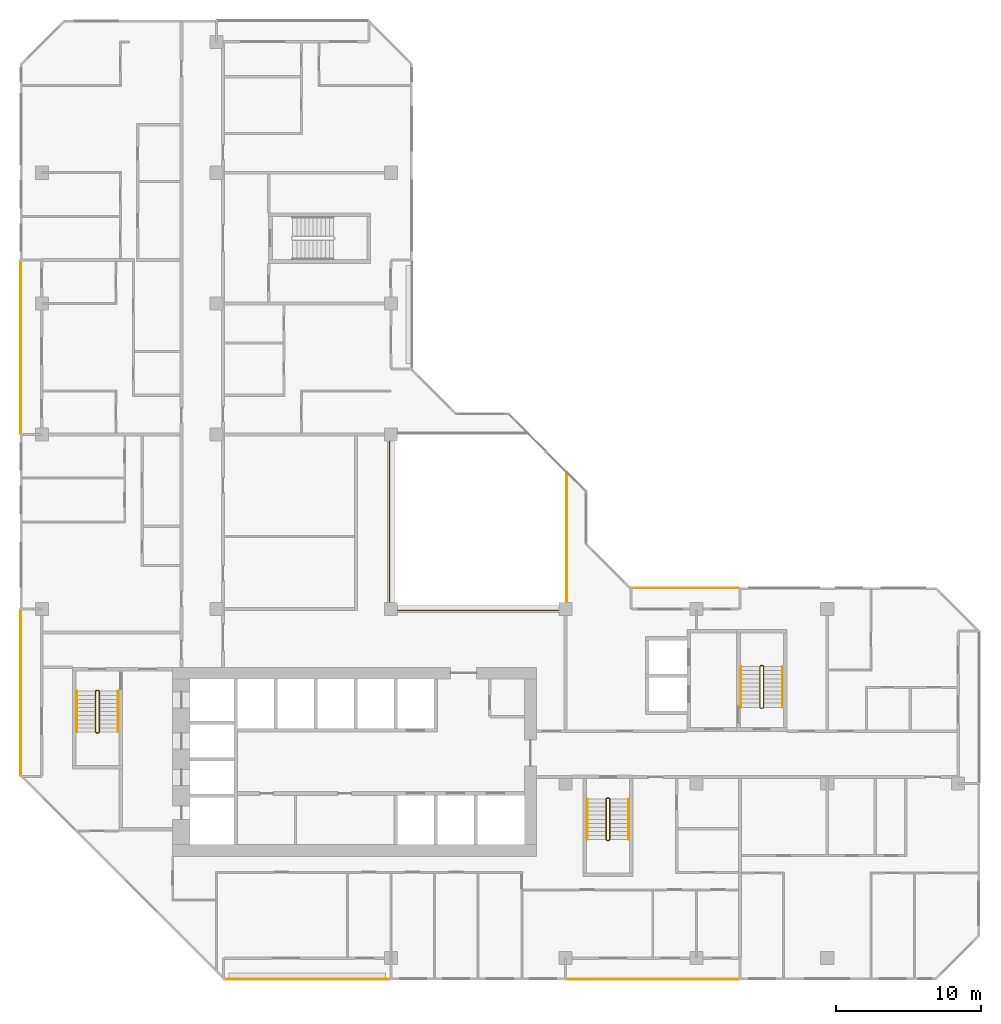
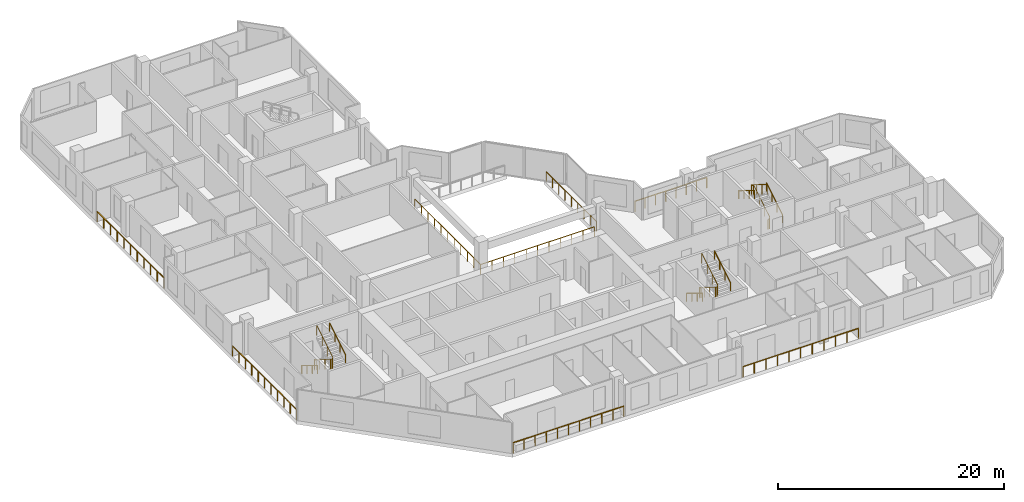
# One storey, part 13 of 14: 16 railings.
"""IFC4 building model written with IfcOpenShell, lengths in metres."""

from ifc_helpers import new_model, si_unit, direction, frame, origin, origin_2d, place, context, subcontext, project, spatial, rectangle, extrude, material, type_object, element, save


model = new_model("IFC4")

# Units and contexts
model_context = context("Model", 3, precision=1e-05, world=origin(), true_north=direction((0.0, 1.0)))
body_context = subcontext(model_context, "Body", "Model", "MODEL_VIEW")
ifc_project = project(units=[si_unit("LENGTHUNIT", "METRE"), si_unit("AREAUNIT", "SQUARE_METRE"), si_unit("VOLUMEUNIT", "CUBIC_METRE"), si_unit("PLANEANGLEUNIT", "RADIAN"), si_unit("MASSUNIT", "GRAM", prefix="KILO")], contexts=[model_context])

# Site, building, storey
site_placement = place(None, origin())
site = spatial("IfcSite", under=ifc_project, at=site_placement, CompositionType="ELEMENT")
building_placement = place(site_placement, origin())
building = spatial("IfcBuilding", under=site, at=building_placement, Name="Chenar Terraces", CompositionType="ELEMENT")
storey_placement = place(building_placement, frame((0.0, 0.0, 183.64990234375)))
storey = spatial("IfcBuildingStorey", under=building, at=storey_placement, Name="L42", CompositionType="ELEMENT", Elevation=183.64990234375)

# Railings
ifc_material_1 = material(Name="Powder-coated steel", Category="steel")
railing_type_1 = type_object("IfcRailingType", Name="Guard 1100 steel rail with glass infill", PredefinedType="GUARDRAIL", material=ifc_material_1)
railing_1_placement = place(storey_placement, frame((23.89990234375, 35.550048828125, 0.0)))
element("IfcRailing", 1, at=railing_1_placement, inside=storey, type_object=railing_type_1, Name="Guard L42-1", PredefinedType="GUARDRAIL", context=body_context, shape_type="SweptSolid", body=[
    extrude(rectangle(XDim=0.06005859375, YDim=0.06005859375, at=origin_2d()), frame((0.0, 0.0, 1.070068359375), z_axis=(0.0, -1.0, 0.0), x_axis=(1.0, 0.0, 0.0)), (0.0, 0.0, 1.0), 11.650146484375),
    extrude(rectangle(XDim=0.06005859375, YDim=0.06005859375, at=origin_2d()), frame((0.0, -11.650146484375, 1.070068359375), z_axis=(1.0, 0.0, 0.0), x_axis=(0.0, 1.0, 0.0)), (0.0, 0.0, 1.0), 11.650146484375),
    extrude(rectangle(XDim=0.050048828125, YDim=0.050048828125, at=origin_2d()), origin(), (0.0, 0.0, 1.0), 1.0400390625),
    extrude(rectangle(XDim=0.050048828125, YDim=0.050048828125, at=origin_2d()), frame((0.0, -1.1650390625, 0.0)), (0.0, 0.0, 1.0), 1.0400390625),
    extrude(rectangle(XDim=0.050048828125, YDim=0.050048828125, at=origin_2d()), frame((0.0, -2.330078125, 0.0)), (0.0, 0.0, 1.0), 1.0400390625),
    extrude(rectangle(XDim=0.050048828125, YDim=0.050048828125, at=origin_2d()), frame((0.0, -3.4951171875, 0.0)), (0.0, 0.0, 1.0), 1.0400390625),
    extrude(rectangle(XDim=0.050048828125, YDim=0.050048828125, at=origin_2d()), frame((0.0, -4.66015625, 0.0)), (0.0, 0.0, 1.0), 1.0400390625),
    extrude(rectangle(XDim=0.050048828125, YDim=0.050048828125, at=origin_2d()), frame((0.0, -5.8251953125, 0.0)), (0.0, 0.0, 1.0), 1.0400390625),
    extrude(rectangle(XDim=0.050048828125, YDim=0.050048828125, at=origin_2d()), frame((0.0, -6.989990234375, 0.0)), (0.0, 0.0, 1.0), 1.0400390625),
    extrude(rectangle(XDim=0.050048828125, YDim=0.050048828125, at=origin_2d()), frame((0.0, -8.155029296875, 0.0)), (0.0, 0.0, 1.0), 1.0400390625),
    extrude(rectangle(XDim=0.050048828125, YDim=0.050048828125, at=origin_2d()), frame((0.0, -9.320068359375, 0.0)), (0.0, 0.0, 1.0), 1.0400390625),
    extrude(rectangle(XDim=0.050048828125, YDim=0.050048828125, at=origin_2d()), frame((0.0, -10.485107421875, 0.0)), (0.0, 0.0, 1.0), 1.0400390625),
    extrude(rectangle(XDim=0.050048828125, YDim=0.050048828125, at=origin_2d()), frame((0.0, -11.650146484375, 0.0)), (0.0, 0.0, 1.0), 1.0400390625),
    extrude(rectangle(XDim=0.050048828125, YDim=0.050048828125, at=origin_2d()), frame((1.1650390625, -11.650146484375, 0.0)), (0.0, 0.0, 1.0), 1.0400390625),
    extrude(rectangle(XDim=0.050048828125, YDim=0.050048828125, at=origin_2d()), frame((2.330078125, -11.650146484375, 0.0)), (0.0, 0.0, 1.0), 1.0400390625),
    extrude(rectangle(XDim=0.050048828125, YDim=0.050048828125, at=origin_2d()), frame((3.4951171875, -11.650146484375, 0.0)), (0.0, 0.0, 1.0), 1.0400390625),
    extrude(rectangle(XDim=0.050048828125, YDim=0.050048828125, at=origin_2d()), frame((4.66015625, -11.650146484375, 0.0)), (0.0, 0.0, 1.0), 1.0400390625),
    extrude(rectangle(XDim=0.050048828125, YDim=0.050048828125, at=origin_2d()), frame((5.8251953125, -11.650146484375, 0.0)), (0.0, 0.0, 1.0), 1.0400390625),
    extrude(rectangle(XDim=0.050048828125, YDim=0.050048828125, at=origin_2d()), frame((6.989990234375, -11.650146484375, 0.0)), (0.0, 0.0, 1.0), 1.0400390625),
    extrude(rectangle(XDim=0.050048828125, YDim=0.050048828125, at=origin_2d()), frame((8.155029296875, -11.650146484375, 0.0)), (0.0, 0.0, 1.0), 1.0400390625),
    extrude(rectangle(XDim=0.050048828125, YDim=0.050048828125, at=origin_2d()), frame((9.320068359375, -11.650146484375, 0.0)), (0.0, 0.0, 1.0), 1.0400390625),
    extrude(rectangle(XDim=0.050048828125, YDim=0.050048828125, at=origin_2d()), frame((10.485107421875, -11.650146484375, 0.0)), (0.0, 0.0, 1.0), 1.0400390625),
    extrude(rectangle(XDim=0.050048828125, YDim=0.050048828125, at=origin_2d()), frame((11.650146484375, -11.650146484375, 0.0)), (0.0, 0.0, 1.0), 1.0400390625),
])
railing_2_placement = place(storey_placement, frame((36.10009765625, 24.5, 0.0)))
element("IfcRailing", 2, at=railing_2_placement, inside=storey, type_object=railing_type_1, Name="Guard L42-3", PredefinedType="GUARDRAIL", context=body_context, shape_type="SweptSolid", body=[
    extrude(rectangle(XDim=0.06005859375, YDim=0.06005859375, at=origin_2d()), frame((0.0, 0.0, 1.070068359375), z_axis=(0.0, 1.0, 0.0), x_axis=(-1.0, 0.0, 0.0)), (0.0, 0.0, 1.0), 8.89990234375),
    extrude(rectangle(XDim=0.050048828125, YDim=0.050048828125, at=origin_2d()), origin(), (0.0, 0.0, 1.0), 1.0400390625),
    extrude(rectangle(XDim=0.050048828125, YDim=0.050048828125, at=origin_2d()), frame((0.0, 1.112548828125, 0.0)), (0.0, 0.0, 1.0), 1.0400390625),
    extrude(rectangle(XDim=0.050048828125, YDim=0.050048828125, at=origin_2d()), frame((0.0, 2.22509765625, 0.0)), (0.0, 0.0, 1.0), 1.0400390625),
    extrude(rectangle(XDim=0.050048828125, YDim=0.050048828125, at=origin_2d()), frame((0.0, 3.33740234375, 0.0)), (0.0, 0.0, 1.0), 1.0400390625),
    extrude(rectangle(XDim=0.050048828125, YDim=0.050048828125, at=origin_2d()), frame((0.0, 4.449951171875, 0.0)), (0.0, 0.0, 1.0), 1.0400390625),
    extrude(rectangle(XDim=0.050048828125, YDim=0.050048828125, at=origin_2d()), frame((0.0, 5.5625, 0.0)), (0.0, 0.0, 1.0), 1.0400390625),
    extrude(rectangle(XDim=0.050048828125, YDim=0.050048828125, at=origin_2d()), frame((0.0, 6.6748046875, 0.0)), (0.0, 0.0, 1.0), 1.0400390625),
    extrude(rectangle(XDim=0.050048828125, YDim=0.050048828125, at=origin_2d()), frame((0.0, 7.787353515625, 0.0)), (0.0, 0.0, 1.0), 1.0400390625),
    extrude(rectangle(XDim=0.050048828125, YDim=0.050048828125, at=origin_2d()), frame((0.0, 8.89990234375, 0.0)), (0.0, 0.0, 1.0), 1.0400390625),
])
ifc_material_2 = material(Name="Stainless steel and glass", Category="steel")
railing_type_2 = type_object("IfcRailingType", Name="Loggia guard 1150", PredefinedType="GUARDRAIL", material=ifc_material_2)
railing_3_placement = place(storey_placement, frame((47.925048828125, 25.449951171875, 0.0)))
element("IfcRailing", 3, at=railing_3_placement, inside=storey, type_object=railing_type_2, Name="Loggia guard", PredefinedType="GUARDRAIL", context=body_context, shape_type="SweptSolid", body=[
    extrude(rectangle(XDim=0.048095703125, YDim=0.048095703125, at=origin_2d()), frame((0.0, 0.0, 1.1259765625), z_axis=(-1.0, 0.0, 0.0), x_axis=(0.0, -1.0, 0.0)), (0.0, 0.0, 1.0), 7.35009765625),
    extrude(rectangle(XDim=0.0419921875, YDim=0.0419921875, at=origin_2d()), origin(), (0.0, 0.0, 1.0), 1.101806640625),
    extrude(rectangle(XDim=0.0419921875, YDim=0.0419921875, at=origin_2d()), frame((-1.050048828125, 0.0, 0.0)), (0.0, 0.0, 1.0), 1.101806640625),
    extrude(rectangle(XDim=0.0419921875, YDim=0.0419921875, at=origin_2d()), frame((-2.10009765625, 0.0, 0.0)), (0.0, 0.0, 1.0), 1.101806640625),
    extrude(rectangle(XDim=0.0419921875, YDim=0.0419921875, at=origin_2d()), frame((-3.150146484375, 0.0, 0.0)), (0.0, 0.0, 1.0), 1.101806640625),
    extrude(rectangle(XDim=0.0419921875, YDim=0.0419921875, at=origin_2d()), frame((-4.199951171875, 0.0, 0.0)), (0.0, 0.0, 1.0), 1.101806640625),
    extrude(rectangle(XDim=0.0419921875, YDim=0.0419921875, at=origin_2d()), frame((-5.25, 0.0, 0.0)), (0.0, 0.0, 1.0), 1.101806640625),
    extrude(rectangle(XDim=0.0419921875, YDim=0.0419921875, at=origin_2d()), frame((-6.300048828125, 0.0, 0.0)), (0.0, 0.0, 1.0), 1.101806640625),
    extrude(rectangle(XDim=0.0419921875, YDim=0.0419921875, at=origin_2d()), frame((-7.35009765625, 0.0, 0.0)), (0.0, 0.0, 1.0), 1.101806640625),
])
railing_4_placement = place(storey_placement, frame((12.574951171875, -1.449951171875, 0.0)))
element("IfcRailing", 4, at=railing_4_placement, inside=storey, type_object=railing_type_2, Name="Loggia guard", PredefinedType="GUARDRAIL", context=body_context, shape_type="SweptSolid", body=[
    extrude(rectangle(XDim=0.048095703125, YDim=0.048095703125, at=origin_2d()), frame((0.0, 0.0, 1.1259765625), z_axis=(1.0, 0.0, 0.0), x_axis=(0.0, 1.0, 0.0)), (0.0, 0.0, 1.0), 11.35009765625),
    extrude(rectangle(XDim=0.0419921875, YDim=0.0419921875, at=origin_2d()), origin(), (0.0, 0.0, 1.0), 1.101806640625),
    extrude(rectangle(XDim=0.0419921875, YDim=0.0419921875, at=origin_2d()), frame((1.135009765625, 0.0, 0.0)), (0.0, 0.0, 1.0), 1.101806640625),
    extrude(rectangle(XDim=0.0419921875, YDim=0.0419921875, at=origin_2d()), frame((2.27001953125, 0.0, 0.0)), (0.0, 0.0, 1.0), 1.101806640625),
    extrude(rectangle(XDim=0.0419921875, YDim=0.0419921875, at=origin_2d()), frame((3.405029296875, 0.0, 0.0)), (0.0, 0.0, 1.0), 1.101806640625),
    extrude(rectangle(XDim=0.0419921875, YDim=0.0419921875, at=origin_2d()), frame((4.5400390625, 0.0, 0.0)), (0.0, 0.0, 1.0), 1.101806640625),
    extrude(rectangle(XDim=0.0419921875, YDim=0.0419921875, at=origin_2d()), frame((5.675048828125, 0.0, 0.0)), (0.0, 0.0, 1.0), 1.101806640625),
    extrude(rectangle(XDim=0.0419921875, YDim=0.0419921875, at=origin_2d()), frame((6.81005859375, 0.0, 0.0)), (0.0, 0.0, 1.0), 1.101806640625),
    extrude(rectangle(XDim=0.0419921875, YDim=0.0419921875, at=origin_2d()), frame((7.945068359375, 0.0, 0.0)), (0.0, 0.0, 1.0), 1.101806640625),
    extrude(rectangle(XDim=0.0419921875, YDim=0.0419921875, at=origin_2d()), frame((9.080078125, 0.0, 0.0)), (0.0, 0.0, 1.0), 1.101806640625),
    extrude(rectangle(XDim=0.0419921875, YDim=0.0419921875, at=origin_2d()), frame((10.215087890625, 0.0, 0.0)), (0.0, 0.0, 1.0), 1.101806640625),
    extrude(rectangle(XDim=0.0419921875, YDim=0.0419921875, at=origin_2d()), frame((11.35009765625, 0.0, 0.0)), (0.0, 0.0, 1.0), 1.101806640625),
])
railing_5_placement = place(storey_placement, frame((36.074951171875, -1.449951171875, 0.0)))
element("IfcRailing", 5, at=railing_5_placement, inside=storey, type_object=railing_type_2, Name="Loggia guard", PredefinedType="GUARDRAIL", context=body_context, shape_type="SweptSolid", body=[
    extrude(rectangle(XDim=0.048095703125, YDim=0.048095703125, at=origin_2d()), frame((0.0, 0.0, 1.1259765625), z_axis=(1.0, 0.0, 0.0), x_axis=(0.0, 1.0, 0.0)), (0.0, 0.0, 1.0), 11.85009765625),
    extrude(rectangle(XDim=0.0419921875, YDim=0.0419921875, at=origin_2d()), origin(), (0.0, 0.0, 1.0), 1.101806640625),
    extrude(rectangle(XDim=0.0419921875, YDim=0.0419921875, at=origin_2d()), frame((1.18505859375, 0.0, 0.0)), (0.0, 0.0, 1.0), 1.101806640625),
    extrude(rectangle(XDim=0.0419921875, YDim=0.0419921875, at=origin_2d()), frame((2.3701171875, 0.0, 0.0)), (0.0, 0.0, 1.0), 1.101806640625),
    extrude(rectangle(XDim=0.0419921875, YDim=0.0419921875, at=origin_2d()), frame((3.554931640625, 0.0, 0.0)), (0.0, 0.0, 1.0), 1.101806640625),
    extrude(rectangle(XDim=0.0419921875, YDim=0.0419921875, at=origin_2d()), frame((4.739990234375, 0.0, 0.0)), (0.0, 0.0, 1.0), 1.101806640625),
    extrude(rectangle(XDim=0.0419921875, YDim=0.0419921875, at=origin_2d()), frame((5.925048828125, 0.0, 0.0)), (0.0, 0.0, 1.0), 1.101806640625),
    extrude(rectangle(XDim=0.0419921875, YDim=0.0419921875, at=origin_2d()), frame((7.110107421875, 0.0, 0.0)), (0.0, 0.0, 1.0), 1.101806640625),
    extrude(rectangle(XDim=0.0419921875, YDim=0.0419921875, at=origin_2d()), frame((8.295166015625, 0.0, 0.0)), (0.0, 0.0, 1.0), 1.101806640625),
    extrude(rectangle(XDim=0.0419921875, YDim=0.0419921875, at=origin_2d()), frame((9.47998046875, 0.0, 0.0)), (0.0, 0.0, 1.0), 1.101806640625),
    extrude(rectangle(XDim=0.0419921875, YDim=0.0419921875, at=origin_2d()), frame((10.6650390625, 0.0, 0.0)), (0.0, 0.0, 1.0), 1.101806640625),
    extrude(rectangle(XDim=0.0419921875, YDim=0.0419921875, at=origin_2d()), frame((11.85009765625, 0.0, 0.0)), (0.0, 0.0, 1.0), 1.101806640625),
])
railing_6_placement = place(storey_placement, frame((-1.449951171875, 47.925048828125, 0.0)))
element("IfcRailing", 6, at=railing_6_placement, inside=storey, type_object=railing_type_2, Name="Loggia guard", PredefinedType="GUARDRAIL", context=body_context, shape_type="SweptSolid", body=[
    extrude(rectangle(XDim=0.048095703125, YDim=0.048095703125, at=origin_2d()), frame((0.0, 0.0, 1.1259765625), z_axis=(0.0, -1.0, 0.0), x_axis=(1.0, 0.0, 0.0)), (0.0, 0.0, 1.0), 11.85009765625),
    extrude(rectangle(XDim=0.0419921875, YDim=0.0419921875, at=origin_2d()), origin(), (0.0, 0.0, 1.0), 1.101806640625),
    extrude(rectangle(XDim=0.0419921875, YDim=0.0419921875, at=origin_2d()), frame((0.0, -1.18505859375, 0.0)), (0.0, 0.0, 1.0), 1.101806640625),
    extrude(rectangle(XDim=0.0419921875, YDim=0.0419921875, at=origin_2d()), frame((0.0, -2.3701171875, 0.0)), (0.0, 0.0, 1.0), 1.101806640625),
    extrude(rectangle(XDim=0.0419921875, YDim=0.0419921875, at=origin_2d()), frame((0.0, -3.554931640625, 0.0)), (0.0, 0.0, 1.0), 1.101806640625),
    extrude(rectangle(XDim=0.0419921875, YDim=0.0419921875, at=origin_2d()), frame((0.0, -4.739990234375, 0.0)), (0.0, 0.0, 1.0), 1.101806640625),
    extrude(rectangle(XDim=0.0419921875, YDim=0.0419921875, at=origin_2d()), frame((0.0, -5.925048828125, 0.0)), (0.0, 0.0, 1.0), 1.101806640625),
    extrude(rectangle(XDim=0.0419921875, YDim=0.0419921875, at=origin_2d()), frame((0.0, -7.110107421875, 0.0)), (0.0, 0.0, 1.0), 1.101806640625),
    extrude(rectangle(XDim=0.0419921875, YDim=0.0419921875, at=origin_2d()), frame((0.0, -8.295166015625, 0.0)), (0.0, 0.0, 1.0), 1.101806640625),
    extrude(rectangle(XDim=0.0419921875, YDim=0.0419921875, at=origin_2d()), frame((0.0, -9.47998046875, 0.0)), (0.0, 0.0, 1.0), 1.101806640625),
    extrude(rectangle(XDim=0.0419921875, YDim=0.0419921875, at=origin_2d()), frame((0.0, -10.6650390625, 0.0)), (0.0, 0.0, 1.0), 1.101806640625),
    extrude(rectangle(XDim=0.0419921875, YDim=0.0419921875, at=origin_2d()), frame((0.0, -11.85009765625, 0.0)), (0.0, 0.0, 1.0), 1.101806640625),
])
railing_7_placement = place(storey_placement, frame((-1.449951171875, 23.925048828125, 0.0)))
element("IfcRailing", 7, at=railing_7_placement, inside=storey, type_object=railing_type_2, Name="Loggia guard", PredefinedType="GUARDRAIL", context=body_context, shape_type="SweptSolid", body=[
    extrude(rectangle(XDim=0.048095703125, YDim=0.048095703125, at=origin_2d()), frame((0.0, 0.0, 1.1259765625), z_axis=(0.0, -1.0, 0.0), x_axis=(1.0, 0.0, 0.0)), (0.0, 0.0, 1.0), 11.35009765625),
    extrude(rectangle(XDim=0.0419921875, YDim=0.0419921875, at=origin_2d()), origin(), (0.0, 0.0, 1.0), 1.101806640625),
    extrude(rectangle(XDim=0.0419921875, YDim=0.0419921875, at=origin_2d()), frame((0.0, -1.135009765625, 0.0)), (0.0, 0.0, 1.0), 1.101806640625),
    extrude(rectangle(XDim=0.0419921875, YDim=0.0419921875, at=origin_2d()), frame((0.0, -2.27001953125, 0.0)), (0.0, 0.0, 1.0), 1.101806640625),
    extrude(rectangle(XDim=0.0419921875, YDim=0.0419921875, at=origin_2d()), frame((0.0, -3.405029296875, 0.0)), (0.0, 0.0, 1.0), 1.101806640625),
    extrude(rectangle(XDim=0.0419921875, YDim=0.0419921875, at=origin_2d()), frame((0.0, -4.5400390625, 0.0)), (0.0, 0.0, 1.0), 1.101806640625),
    extrude(rectangle(XDim=0.0419921875, YDim=0.0419921875, at=origin_2d()), frame((0.0, -5.675048828125, 0.0)), (0.0, 0.0, 1.0), 1.101806640625),
    extrude(rectangle(XDim=0.0419921875, YDim=0.0419921875, at=origin_2d()), frame((0.0, -6.81005859375, 0.0)), (0.0, 0.0, 1.0), 1.101806640625),
    extrude(rectangle(XDim=0.0419921875, YDim=0.0419921875, at=origin_2d()), frame((0.0, -7.945068359375, 0.0)), (0.0, 0.0, 1.0), 1.101806640625),
    extrude(rectangle(XDim=0.0419921875, YDim=0.0419921875, at=origin_2d()), frame((0.0, -9.080078125, 0.0)), (0.0, 0.0, 1.0), 1.101806640625),
    extrude(rectangle(XDim=0.0419921875, YDim=0.0419921875, at=origin_2d()), frame((0.0, -10.215087890625, 0.0)), (0.0, 0.0, 1.0), 1.101806640625),
    extrude(rectangle(XDim=0.0419921875, YDim=0.0419921875, at=origin_2d()), frame((0.0, -11.35009765625, 0.0)), (0.0, 0.0, 1.0), 1.101806640625),
])
ifc_material_3 = material(Name="Powder-coated steel", Category="steel")
railing_type_3 = type_object("IfcRailingType", Name="Stair guard 1100", PredefinedType="GUARDRAIL", material=ifc_material_3)
railing_8_placement = place(storey_placement, frame((3.949951171875, 18.35009765625, 3.75)))
element("IfcRailing", 8, at=railing_8_placement, inside=storey, type_object=railing_type_3, Name="L42 ST1 stair guard 1", PredefinedType="GUARDRAIL", context=body_context, shape_type="SweptSolid", body=[
    extrude(rectangle(XDim=0.048095703125, YDim=0.048095703125, at=origin_2d()), frame((0.0, 0.0, 1.076171875), z_axis=(0.0, -0.854202870247, -0.519939858505), x_axis=(1.0, 0.0, 0.0)), (0.0, 0.0, 1.0), 3.278076171875),
    extrude(rectangle(XDim=0.048095703125, YDim=0.048095703125, at=origin_2d()), frame((0.0, -2.800048828125, -0.62841796875), z_axis=(-0.270899902878, -0.270899902878, -0.923702595667), x_axis=(0.707106781187, -0.707106781187, 0.0)), (0.0, 0.0, 1.0), 0.184814453125),
    extrude(rectangle(XDim=0.048095703125, YDim=0.048095703125, at=origin_2d()), frame((-0.050048828125, -2.85009765625, -0.798828125), z_axis=(-1.0, 0.0, 0.0), x_axis=(0.0, -1.0, 0.0)), (0.0, 0.0, 1.0), 0.14990234375),
    extrude(rectangle(XDim=0.048095703125, YDim=0.048095703125, at=origin_2d()), frame((-0.199951171875, -2.85009765625, -0.798828125), z_axis=(-0.707106781187, 0.707106781187, 0.0), x_axis=(-0.707106781187, -0.707106781187, 0.0)), (0.0, 0.0, 1.0), 0.07080078125),
    extrude(rectangle(XDim=0.048095703125, YDim=0.048095703125, at=origin_2d()), frame((-0.25, -2.800048828125, -0.798828125), z_axis=(0.0, 0.854202870247, -0.519939858505), x_axis=(-1.0, 0.0, 0.0)), (0.0, 0.0, 1.0), 3.278076171875),
    extrude(rectangle(XDim=0.048095703125, YDim=0.048095703125, at=origin_2d()), frame((-0.25, 0.0, -2.50341796875), z_axis=(0.270996696079, 0.269674760976, -0.924032636873), x_axis=(-0.705375805398, 0.708833529934, 0.0)), (0.0, 0.0, 1.0), 0.1845703125),
    extrude(rectangle(XDim=0.048095703125, YDim=0.048095703125, at=origin_2d()), frame((-0.199951171875, 0.0498046875, -2.673828125), z_axis=(1.0, 0.0, 0.0), x_axis=(0.0, 1.0, 0.0)), (0.0, 0.0, 1.0), 0.14990234375),
    extrude(rectangle(XDim=0.0419921875, YDim=0.0419921875, at=origin_2d()), origin(), (0.0, 0.0, 1.0), 1.052001953125),
    extrude(rectangle(XDim=0.0419921875, YDim=0.0419921875, at=origin_2d()), frame((0.0, -0.933349609375, -0.568115234375)), (0.0, 0.0, 1.0), 1.052001953125),
    extrude(rectangle(XDim=0.0419921875, YDim=0.0419921875, at=origin_2d()), frame((0.0, -1.86669921875, -1.13623046875)), (0.0, 0.0, 1.0), 1.052001953125),
    extrude(rectangle(XDim=0.0419921875, YDim=0.0419921875, at=origin_2d()), frame((0.0, -2.800048828125, -1.704345703125)), (0.0, 0.0, 1.0), 1.052001953125),
    extrude(rectangle(XDim=0.0419921875, YDim=0.0419921875, at=origin_2d()), frame((-0.050048828125, -2.85009765625, -1.875)), (0.0, 0.0, 1.0), 1.052001953125),
    extrude(rectangle(XDim=0.0419921875, YDim=0.0419921875, at=origin_2d()), frame((-0.199951171875, -2.85009765625, -1.875)), (0.0, 0.0, 1.0), 1.052001953125),
    extrude(rectangle(XDim=0.0419921875, YDim=0.0419921875, at=origin_2d()), frame((-0.25, -2.800048828125, -1.875)), (0.0, 0.0, 1.0), 1.052001953125),
    extrude(rectangle(XDim=0.0419921875, YDim=0.0419921875, at=origin_2d()), frame((-0.25, -1.86669921875, -2.443115234375)), (0.0, 0.0, 1.0), 1.052001953125),
    extrude(rectangle(XDim=0.0419921875, YDim=0.0419921875, at=origin_2d()), frame((-0.25, -0.933349609375, -3.01123046875)), (0.0, 0.0, 1.0), 1.052001953125),
    extrude(rectangle(XDim=0.0419921875, YDim=0.0419921875, at=origin_2d()), frame((-0.25, 0.0, -3.579345703125)), (0.0, 0.0, 1.0), 1.052001953125),
    extrude(rectangle(XDim=0.0419921875, YDim=0.0419921875, at=origin_2d()), frame((-0.199951171875, 0.0498046875, -3.75)), (0.0, 0.0, 1.0), 1.052001953125),
    extrude(rectangle(XDim=0.0419921875, YDim=0.0419921875, at=origin_2d()), frame((-0.050048828125, 0.0498046875, -3.75)), (0.0, 0.0, 1.0), 1.052001953125),
])
railing_9_placement = place(storey_placement, frame((39.050048828125, 10.949951171875, 3.75)))
element("IfcRailing", 9, at=railing_9_placement, inside=storey, type_object=railing_type_3, Name="L42 ST2 stair guard 1", PredefinedType="GUARDRAIL", context=body_context, shape_type="SweptSolid", body=[
    extrude(rectangle(XDim=0.048095703125, YDim=0.048095703125, at=origin_2d()), frame((0.0, 0.0, 1.076171875), z_axis=(0.0, -0.854202870247, -0.519939858505), x_axis=(1.0, 0.0, 0.0)), (0.0, 0.0, 1.0), 3.278076171875),
    extrude(rectangle(XDim=0.048095703125, YDim=0.048095703125, at=origin_2d()), frame((0.0, -2.800048828125, -0.62841796875), z_axis=(-0.270996696079, -0.269674760976, -0.924032636873), x_axis=(0.705375805398, -0.708833529934, 0.0)), (0.0, 0.0, 1.0), 0.1845703125),
    extrude(rectangle(XDim=0.048095703125, YDim=0.048095703125, at=origin_2d()), frame((-0.050048828125, -2.849853515625, -0.798828125), z_axis=(-1.0, 0.0, 0.0), x_axis=(0.0, -1.0, 0.0)), (0.0, 0.0, 1.0), 0.14990234375),
    extrude(rectangle(XDim=0.048095703125, YDim=0.048095703125, at=origin_2d()), frame((-0.199951171875, -2.849853515625, -0.798828125), z_axis=(-0.708833529934, 0.705375805398, 0.0), x_axis=(-0.705375805398, -0.708833529934, 0.0)), (0.0, 0.0, 1.0), 0.070556640625),
    extrude(rectangle(XDim=0.048095703125, YDim=0.048095703125, at=origin_2d()), frame((-0.25, -2.800048828125, -0.798828125), z_axis=(0.0, 0.854202870247, -0.519939858505), x_axis=(-1.0, 0.0, 0.0)), (0.0, 0.0, 1.0), 3.278076171875),
    extrude(rectangle(XDim=0.048095703125, YDim=0.048095703125, at=origin_2d()), frame((-0.25, 0.0, -2.50341796875), z_axis=(0.270899902878, 0.270899902878, -0.923702595667), x_axis=(-0.707106781187, 0.707106781187, 0.0)), (0.0, 0.0, 1.0), 0.184814453125),
    extrude(rectangle(XDim=0.048095703125, YDim=0.048095703125, at=origin_2d()), frame((-0.199951171875, 0.050048828125, -2.673828125), z_axis=(1.0, 0.0, 0.0), x_axis=(0.0, 1.0, 0.0)), (0.0, 0.0, 1.0), 0.14990234375),
    extrude(rectangle(XDim=0.0419921875, YDim=0.0419921875, at=origin_2d()), origin(), (0.0, 0.0, 1.0), 1.052001953125),
    extrude(rectangle(XDim=0.0419921875, YDim=0.0419921875, at=origin_2d()), frame((0.0, -0.933349609375, -0.568115234375)), (0.0, 0.0, 1.0), 1.052001953125),
    extrude(rectangle(XDim=0.0419921875, YDim=0.0419921875, at=origin_2d()), frame((0.0, -1.86669921875, -1.13623046875)), (0.0, 0.0, 1.0), 1.052001953125),
    extrude(rectangle(XDim=0.0419921875, YDim=0.0419921875, at=origin_2d()), frame((0.0, -2.800048828125, -1.704345703125)), (0.0, 0.0, 1.0), 1.052001953125),
    extrude(rectangle(XDim=0.0419921875, YDim=0.0419921875, at=origin_2d()), frame((-0.050048828125, -2.849853515625, -1.875)), (0.0, 0.0, 1.0), 1.052001953125),
    extrude(rectangle(XDim=0.0419921875, YDim=0.0419921875, at=origin_2d()), frame((-0.199951171875, -2.849853515625, -1.875)), (0.0, 0.0, 1.0), 1.052001953125),
    extrude(rectangle(XDim=0.0419921875, YDim=0.0419921875, at=origin_2d()), frame((-0.25, -2.800048828125, -1.875)), (0.0, 0.0, 1.0), 1.052001953125),
    extrude(rectangle(XDim=0.0419921875, YDim=0.0419921875, at=origin_2d()), frame((-0.25, -1.86669921875, -2.443115234375)), (0.0, 0.0, 1.0), 1.052001953125),
    extrude(rectangle(XDim=0.0419921875, YDim=0.0419921875, at=origin_2d()), frame((-0.25, -0.933349609375, -3.01123046875)), (0.0, 0.0, 1.0), 1.052001953125),
    extrude(rectangle(XDim=0.0419921875, YDim=0.0419921875, at=origin_2d()), frame((-0.25, 0.0, -3.579345703125)), (0.0, 0.0, 1.0), 1.052001953125),
    extrude(rectangle(XDim=0.0419921875, YDim=0.0419921875, at=origin_2d()), frame((-0.199951171875, 0.050048828125, -3.75)), (0.0, 0.0, 1.0), 1.052001953125),
    extrude(rectangle(XDim=0.0419921875, YDim=0.0419921875, at=origin_2d()), frame((-0.050048828125, 0.050048828125, -3.75)), (0.0, 0.0, 1.0), 1.052001953125),
])
railing_10_placement = place(storey_placement, frame((49.375, 17.25, 3.75)))
element("IfcRailing", 10, at=railing_10_placement, inside=storey, type_object=railing_type_3, Name="L42 ST3 stair guard 1", PredefinedType="GUARDRAIL", context=body_context, shape_type="SweptSolid", body=[
    extrude(rectangle(XDim=0.048095703125, YDim=0.048095703125, at=origin_2d()), frame((0.0, 0.0, 1.076171875), z_axis=(0.0, 0.854202870247, -0.519939858505), x_axis=(-1.0, 0.0, 0.0)), (0.0, 0.0, 1.0), 3.278076171875),
    extrude(rectangle(XDim=0.048095703125, YDim=0.048095703125, at=origin_2d()), frame((0.0, 2.800048828125, -0.62841796875), z_axis=(0.270899902878, 0.270899902878, -0.923702595667), x_axis=(-0.707106781187, 0.707106781187, 0.0)), (0.0, 0.0, 1.0), 0.184814453125),
    extrude(rectangle(XDim=0.048095703125, YDim=0.048095703125, at=origin_2d()), frame((0.050048828125, 2.85009765625, -0.798828125), z_axis=(1.0, 0.0, 0.0), x_axis=(0.0, 1.0, 0.0)), (0.0, 0.0, 1.0), 0.14990234375),
    extrude(rectangle(XDim=0.048095703125, YDim=0.048095703125, at=origin_2d()), frame((0.199951171875, 2.85009765625, -0.798828125), z_axis=(0.707106781187, -0.707106781187, 0.0), x_axis=(0.707106781187, 0.707106781187, 0.0)), (0.0, 0.0, 1.0), 0.07080078125),
    extrude(rectangle(XDim=0.048095703125, YDim=0.048095703125, at=origin_2d()), frame((0.25, 2.800048828125, -0.798828125), z_axis=(0.0, -0.854202870247, -0.519939858505), x_axis=(1.0, 0.0, 0.0)), (0.0, 0.0, 1.0), 3.278076171875),
    extrude(rectangle(XDim=0.048095703125, YDim=0.048095703125, at=origin_2d()), frame((0.25, 0.0, -2.50341796875), z_axis=(-0.270899902878, -0.270899902878, -0.923702595667), x_axis=(0.707106781187, -0.707106781187, 0.0)), (0.0, 0.0, 1.0), 0.184814453125),
    extrude(rectangle(XDim=0.048095703125, YDim=0.048095703125, at=origin_2d()), frame((0.199951171875, -0.050048828125, -2.673828125), z_axis=(-1.0, 0.0, 0.0), x_axis=(0.0, -1.0, 0.0)), (0.0, 0.0, 1.0), 0.14990234375),
    extrude(rectangle(XDim=0.0419921875, YDim=0.0419921875, at=origin_2d()), origin(), (0.0, 0.0, 1.0), 1.052001953125),
    extrude(rectangle(XDim=0.0419921875, YDim=0.0419921875, at=origin_2d()), frame((0.0, 0.933349609375, -0.568115234375)), (0.0, 0.0, 1.0), 1.052001953125),
    extrude(rectangle(XDim=0.0419921875, YDim=0.0419921875, at=origin_2d()), frame((0.0, 1.86669921875, -1.13623046875)), (0.0, 0.0, 1.0), 1.052001953125),
    extrude(rectangle(XDim=0.0419921875, YDim=0.0419921875, at=origin_2d()), frame((0.0, 2.800048828125, -1.704345703125)), (0.0, 0.0, 1.0), 1.052001953125),
    extrude(rectangle(XDim=0.0419921875, YDim=0.0419921875, at=origin_2d()), frame((0.050048828125, 2.85009765625, -1.875)), (0.0, 0.0, 1.0), 1.052001953125),
    extrude(rectangle(XDim=0.0419921875, YDim=0.0419921875, at=origin_2d()), frame((0.199951171875, 2.85009765625, -1.875)), (0.0, 0.0, 1.0), 1.052001953125),
    extrude(rectangle(XDim=0.0419921875, YDim=0.0419921875, at=origin_2d()), frame((0.25, 2.800048828125, -1.875)), (0.0, 0.0, 1.0), 1.052001953125),
    extrude(rectangle(XDim=0.0419921875, YDim=0.0419921875, at=origin_2d()), frame((0.25, 1.86669921875, -2.443115234375)), (0.0, 0.0, 1.0), 1.052001953125),
    extrude(rectangle(XDim=0.0419921875, YDim=0.0419921875, at=origin_2d()), frame((0.25, 0.933349609375, -3.01123046875)), (0.0, 0.0, 1.0), 1.052001953125),
    extrude(rectangle(XDim=0.0419921875, YDim=0.0419921875, at=origin_2d()), frame((0.25, 0.0, -3.579345703125)), (0.0, 0.0, 1.0), 1.052001953125),
    extrude(rectangle(XDim=0.0419921875, YDim=0.0419921875, at=origin_2d()), frame((0.199951171875, -0.050048828125, -3.75)), (0.0, 0.0, 1.0), 1.052001953125),
    extrude(rectangle(XDim=0.0419921875, YDim=0.0419921875, at=origin_2d()), frame((0.050048828125, -0.050048828125, -3.75)), (0.0, 0.0, 1.0), 1.052001953125),
])
ifc_material_4 = material(Name="Powder-coated steel", Category="steel")
railing_type_4 = type_object("IfcRailingType", Name="Stair handrail 900", PredefinedType="HANDRAIL", material=ifc_material_4)
railing_11_placement = place(storey_placement, frame((2.39990234375, 18.35009765625, 0.170654296875)))
element("IfcRailing", 11, at=railing_11_placement, inside=storey, type_object=railing_type_4, Name="L42 ST1 stair handrail 1", PredefinedType="HANDRAIL", context=body_context, shape_type="SweptSolid", body=[
    extrude(rectangle(XDim=0.048095703125, YDim=0.048095703125, at=origin_2d()), frame((0.0, 0.0, 0.8759765625), z_axis=(0.0, -0.854202870247, 0.519939858505), x_axis=(1.0, 0.0, 0.0)), (0.0, 0.0, 1.0), 3.278076171875),
    extrude(rectangle(XDim=0.0419921875, YDim=0.0419921875, at=origin_2d()), origin(), (0.0, 0.0, 1.0), 0.851806640625),
    extrude(rectangle(XDim=0.0419921875, YDim=0.0419921875, at=origin_2d()), frame((0.0, -0.933349609375, 0.568115234375)), (0.0, 0.0, 1.0), 0.851806640625),
    extrude(rectangle(XDim=0.0419921875, YDim=0.0419921875, at=origin_2d()), frame((0.0, -1.86669921875, 1.13623046875)), (0.0, 0.0, 1.0), 0.851806640625),
    extrude(rectangle(XDim=0.0419921875, YDim=0.0419921875, at=origin_2d()), frame((0.0, -2.800048828125, 1.704345703125)), (0.0, 0.0, 1.0), 0.851806640625),
])
railing_12_placement = place(storey_placement, frame((5.25, 15.550048828125, 2.045654296875)))
element("IfcRailing", 12, at=railing_12_placement, inside=storey, type_object=railing_type_4, Name="L42 ST1 stair handrail 2", PredefinedType="HANDRAIL", context=body_context, shape_type="SweptSolid", body=[
    extrude(rectangle(XDim=0.048095703125, YDim=0.048095703125, at=origin_2d()), frame((0.0, 0.0, 0.8759765625), z_axis=(0.0, 0.854202870247, 0.519939858505), x_axis=(-1.0, 0.0, 0.0)), (0.0, 0.0, 1.0), 3.278076171875),
    extrude(rectangle(XDim=0.0419921875, YDim=0.0419921875, at=origin_2d()), origin(), (0.0, 0.0, 1.0), 0.851806640625),
    extrude(rectangle(XDim=0.0419921875, YDim=0.0419921875, at=origin_2d()), frame((0.0, 0.933349609375, 0.568115234375)), (0.0, 0.0, 1.0), 0.851806640625),
    extrude(rectangle(XDim=0.0419921875, YDim=0.0419921875, at=origin_2d()), frame((0.0, 1.86669921875, 1.13623046875)), (0.0, 0.0, 1.0), 0.851806640625),
    extrude(rectangle(XDim=0.0419921875, YDim=0.0419921875, at=origin_2d()), frame((0.0, 2.800048828125, 1.704345703125)), (0.0, 0.0, 1.0), 0.851806640625),
])
railing_13_placement = place(storey_placement, frame((37.5, 10.949951171875, 0.170654296875)))
element("IfcRailing", 13, at=railing_13_placement, inside=storey, type_object=railing_type_4, Name="L42 ST2 stair handrail 1", PredefinedType="HANDRAIL", context=body_context, shape_type="SweptSolid", body=[
    extrude(rectangle(XDim=0.048095703125, YDim=0.048095703125, at=origin_2d()), frame((0.0, 0.0, 0.8759765625), z_axis=(0.0, -0.854202870247, 0.519939858505), x_axis=(1.0, 0.0, 0.0)), (0.0, 0.0, 1.0), 3.278076171875),
    extrude(rectangle(XDim=0.0419921875, YDim=0.0419921875, at=origin_2d()), origin(), (0.0, 0.0, 1.0), 0.851806640625),
    extrude(rectangle(XDim=0.0419921875, YDim=0.0419921875, at=origin_2d()), frame((0.0, -0.933349609375, 0.568115234375)), (0.0, 0.0, 1.0), 0.851806640625),
    extrude(rectangle(XDim=0.0419921875, YDim=0.0419921875, at=origin_2d()), frame((0.0, -1.86669921875, 1.13623046875)), (0.0, 0.0, 1.0), 0.851806640625),
    extrude(rectangle(XDim=0.0419921875, YDim=0.0419921875, at=origin_2d()), frame((0.0, -2.800048828125, 1.704345703125)), (0.0, 0.0, 1.0), 0.851806640625),
])
for number, where, name in (
    (14, (40.35009765625, 8.14990234375, 2.045654296875), "L42 ST2 stair handrail 2"),
    (15, (50.925048828125, 17.25, 0.170654296875), "L42 ST3 stair handrail 1"),
):
    element("IfcRailing", number, at=place(storey_placement, frame(where)), inside=storey, type_object=railing_type_4, Name=name, PredefinedType="HANDRAIL", context=body_context, shape_type="SweptSolid", body=[
        extrude(rectangle(XDim=0.048095703125, YDim=0.048095703125, at=origin_2d()), frame((0.0, 0.0, 0.8759765625), z_axis=(0.0, 0.854202870247, 0.519939858505), x_axis=(-1.0, 0.0, 0.0)), (0.0, 0.0, 1.0), 3.278076171875),
        extrude(rectangle(XDim=0.0419921875, YDim=0.0419921875, at=origin_2d()), origin(), (0.0, 0.0, 1.0), 0.851806640625),
        extrude(rectangle(XDim=0.0419921875, YDim=0.0419921875, at=origin_2d()), frame((0.0, 0.933349609375, 0.568115234375)), (0.0, 0.0, 1.0), 0.851806640625),
        extrude(rectangle(XDim=0.0419921875, YDim=0.0419921875, at=origin_2d()), frame((0.0, 1.86669921875, 1.13623046875)), (0.0, 0.0, 1.0), 0.851806640625),
        extrude(rectangle(XDim=0.0419921875, YDim=0.0419921875, at=origin_2d()), frame((0.0, 2.800048828125, 1.704345703125)), (0.0, 0.0, 1.0), 0.851806640625),
    ])
railing_14_placement = place(storey_placement, frame((48.074951171875, 20.050048828125, 2.045654296875)))
element("IfcRailing", 16, at=railing_14_placement, inside=storey, type_object=railing_type_4, Name="L42 ST3 stair handrail 2", PredefinedType="HANDRAIL", context=body_context, shape_type="SweptSolid", body=[
    extrude(rectangle(XDim=0.048095703125, YDim=0.048095703125, at=origin_2d()), frame((0.0, 0.0, 0.8759765625), z_axis=(0.0, -0.854202870247, 0.519939858505), x_axis=(1.0, 0.0, 0.0)), (0.0, 0.0, 1.0), 3.278076171875),
    extrude(rectangle(XDim=0.0419921875, YDim=0.0419921875, at=origin_2d()), origin(), (0.0, 0.0, 1.0), 0.851806640625),
    extrude(rectangle(XDim=0.0419921875, YDim=0.0419921875, at=origin_2d()), frame((0.0, -0.933349609375, 0.568115234375)), (0.0, 0.0, 1.0), 0.851806640625),
    extrude(rectangle(XDim=0.0419921875, YDim=0.0419921875, at=origin_2d()), frame((0.0, -1.86669921875, 1.13623046875)), (0.0, 0.0, 1.0), 0.851806640625),
    extrude(rectangle(XDim=0.0419921875, YDim=0.0419921875, at=origin_2d()), frame((0.0, -2.800048828125, 1.704345703125)), (0.0, 0.0, 1.0), 0.851806640625),
])

save(model, "model.ifc")
